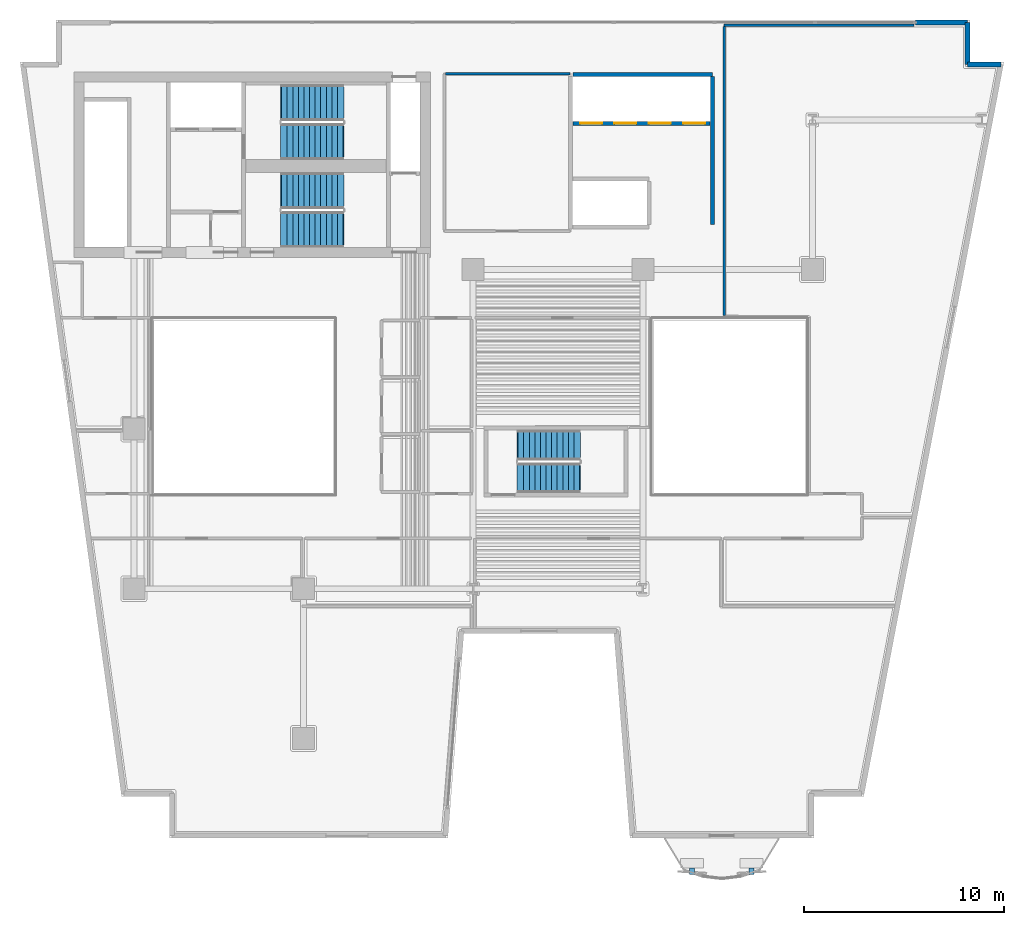
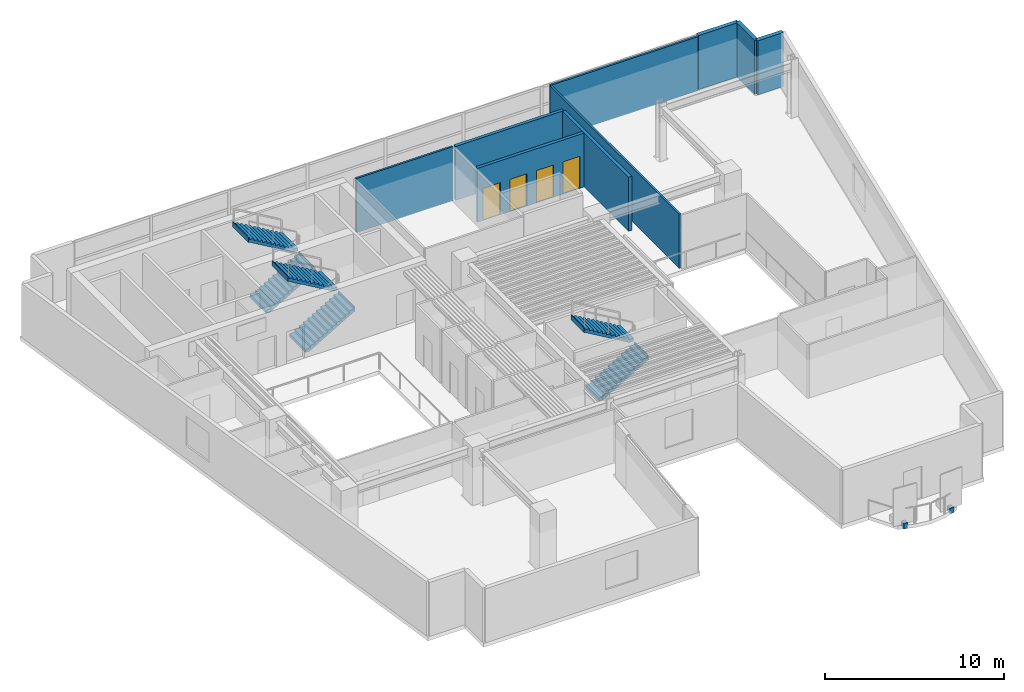
# One storey, part 8 of 12: 9 walls, 6 stair flights, 4 doors, 2 discrete accessories, 4 openings, 3 elements without a shape of their own.
"""IFC4 building model written with IfcOpenShell, lengths in metres."""

from ifc_helpers import new_model, si_unit, direction, frame, frame_2d, origin, origin_2d, place, context, subcontext, project, spatial, polyline, rectangle, outline, extrude, material, layer, layer_set, type_object, element, fill, aggregate, save


model = new_model("IFC4")

# Units and contexts
model_context = context("Model", 3, precision=1e-05, world=origin(), true_north=direction((0.0, 1.0)))
body_context = subcontext(model_context, "Body", "Model", "MODEL_VIEW")
ifc_project = project(units=[si_unit("LENGTHUNIT", "METRE"), si_unit("AREAUNIT", "SQUARE_METRE"), si_unit("VOLUMEUNIT", "CUBIC_METRE"), si_unit("PLANEANGLEUNIT", "RADIAN"), si_unit("MASSUNIT", "GRAM", prefix="KILO")], contexts=[model_context])

# Site, building, storey
site_placement = place(None, origin())
site = spatial("IfcSite", under=ifc_project, at=site_placement, CompositionType="ELEMENT")
building_placement = place(site_placement, origin())
building = spatial("IfcBuilding", under=site, at=building_placement, Name="Caeloran Harvest Quay", CompositionType="ELEMENT")
storey_placement = place(building_placement, frame((0.0, 0.0, 119.300048828125)))
storey = spatial("IfcBuildingStorey", under=building, at=storey_placement, Name="L27", CompositionType="ELEMENT", Elevation=119.300048828125)

# Walls
ifc_material_1 = material(Name="Precast concrete C50/60", Category="concrete")
ifc_layer_1 = layer(ifc_material_1, 0.260009765625, Name="Precast concrete C50/60")
ifc_layer_set_1 = layer_set([ifc_layer_1], Name="Precast concrete C50/60")
wall_type_1 = type_object("IfcWallType", Name="ENV-WALL-EW-260", PredefinedType="STANDARD", material=ifc_layer_set_1)
wall_1_placement = place(storey_placement, frame((47.669921875, 43.3701171875, 0.0), z_axis=(0.0, 0.0, 1.0), x_axis=(1.0, 0.0, 0.0)))
element("IfcWall", 1, at=wall_1_placement, inside=storey, type_object=wall_type_1, Name="L27 Exterior Facade Corner Pier Wall 6B", PredefinedType="STANDARD", context=body_context, shape_type="SweptSolid", body=[
    extrude(rectangle(XDim=2.60009765625, YDim=0.260009765625, at=frame_2d((1.300048828125, 0.0))), origin(), (0.0, 0.0, 1.0), 3.68994140625),
])
wall_2_placement = place(storey_placement, frame((50.27001953125, 43.3701171875, 0.0), z_axis=(0.0, 0.0, 1.0), x_axis=(0.0, -1.0, 0.0)))
element("IfcWall", 2, at=wall_2_placement, inside=storey, type_object=wall_type_1, Name="L27 Exterior Precast Concrete Facade Wall 7", PredefinedType="STANDARD", context=body_context, shape_type="SweptSolid", body=[
    extrude(rectangle(XDim=2.10009765625, YDim=0.260009765625, at=frame_2d((1.050048828125, 0.0))), origin(), (0.0, 0.0, 1.0), 3.68994140625),
])
wall_3_placement = place(storey_placement, frame((50.27001953125, 41.27001953125, 0.0), z_axis=(0.0, 0.0, 1.0), x_axis=(1.0, 0.0, 0.0)))
element("IfcWall", 3, at=wall_3_placement, inside=storey, type_object=wall_type_1, Name="L27 Exterior Precast Concrete Facade Wall 8", PredefinedType="STANDARD", context=body_context, shape_type="SweptSolid", body=[
    extrude(rectangle(XDim=1.671875, YDim=0.260009765625, at=frame_2d((0.8359375, 0.0))), origin(), (0.0, 0.0, 1.0), 3.68994140625),
])
ifc_material_2 = material(Name="Twin-Stud Mineral-Wool Acoustic Gypsum Partition", Category="gypsum")
ifc_layer_2 = layer(ifc_material_2, 0.125, Name="Twin-Stud Mineral-Wool Acoustic Gypsum Partition")
ifc_layer_set_2 = layer_set([ifc_layer_2], Name="Twin-Stud Mineral-Wool Acoustic Gypsum Partition")
wall_type_2 = type_object("IfcWallType", Name="INT-WALL-PW-125", PredefinedType="PARTITIONING", material=ifc_layer_set_2)
wall_4_placement = place(storey_placement, frame((24.117431640625, 40.800048828125, 0.0), z_axis=(0.0, 0.0, 1.0), x_axis=(1.0, 0.0, 0.0)))
element("IfcWall", 4, at=wall_4_placement, inside=storey, type_object=wall_type_2, Name="L27 Bioinformatics and Crop Phenotyping Laboratory Partition Wall", PredefinedType="PARTITIONING", context=body_context, shape_type="SweptSolid", body=[
    extrude(rectangle(XDim=6.232666015625, YDim=0.125, at=frame_2d((3.1162109375, 0.0))), origin(), (0.0, 0.0, 1.0), 3.68994140625),
])
wall_5_placement = place(storey_placement, frame((38.080078125, 43.239990234375, 0.0), z_axis=(0.0, 0.0, 1.0), x_axis=(1.0, 0.0, 0.0)))
element("IfcWall", 5, at=wall_5_placement, inside=storey, type_object=wall_type_2, Name="Phenotyping Sensor Laboratory 10 Partition Wall", PredefinedType="PARTITIONING", context=body_context, shape_type="SweptSolid", body=[
    extrude(rectangle(XDim=9.515380859375, YDim=0.125, at=frame_2d((4.7578125, 0.0))), origin(), (0.0, 0.0, 1.0), 3.68994140625),
])
wall_6_placement = place(storey_placement, frame((38.080078125, 28.697509765625, 0.0), z_axis=(0.0, 0.0, 1.0), x_axis=(0.0, 1.0, 0.0)))
element("IfcWall", 6, at=wall_6_placement, inside=storey, type_object=wall_type_2, Name="Phenotyping Sensor Laboratory 10 Partition Wall", PredefinedType="PARTITIONING", context=body_context, shape_type="SweptSolid", body=[
    extrude(rectangle(XDim=14.47509765625, YDim=0.125, at=frame_2d((7.237548828125, 0.0))), origin(), (0.0, 0.0, 1.0), 3.68994140625),
])
ifc_material_3 = material(Name="Concrete C50/60", Category="concrete")
ifc_layer_3 = layer(ifc_material_3, 0.199951171875, Name="Concrete C50/60")
ifc_layer_set_3 = layer_set([ifc_layer_3], Name="Concrete C50/60")
wall_type_3 = type_object("IfcWallType", Name="INT-WALL-SW-200", PredefinedType="PARTITIONING", material=ifc_layer_set_3)
wall_7_placement = place(storey_placement, frame((30.5, 40.780029296875, 0.0), z_axis=(0.0, 0.0, 1.0), x_axis=(1.0, 0.0, 0.0)))
element("IfcWall", 7, at=wall_7_placement, inside=storey, type_object=wall_type_3, Name="L27 Bank 2 Lift Shaft North Wall", PredefinedType="PARTITIONING", context=body_context, shape_type="SweptSolid", body=[
    extrude(rectangle(XDim=6.97998046875, YDim=0.199951171875, at=frame_2d((3.489990234375, 0.0))), origin(), (0.0, 0.0, 1.0), 3.68994140625),
])
wall_8_placement = place(storey_placement, frame((37.47998046875, 33.239990234375, 0.0), z_axis=(0.0, 0.0, 1.0), x_axis=(0.0, 1.0, 0.0)))
element("IfcWall", 8, at=wall_8_placement, inside=storey, type_object=wall_type_3, Name="L27 Bank 2 Lift Shaft East Wall", PredefinedType="PARTITIONING", context=body_context, shape_type="SweptSolid", body=[
    extrude(rectangle(XDim=7.419921875, YDim=0.199951171875, at=frame_2d((3.7099609375, 0.0))), origin(), (0.0, 0.0, 1.0), 3.68994140625),
])

# Wall, openings, doors
wall_9_placement = place(storey_placement, frame((30.5, 38.320068359375, 0.0), z_axis=(0.0, 0.0, 1.0), x_axis=(1.0, 0.0, 0.0)))
wall_9 = element("IfcWall", 9, at=wall_9_placement, inside=storey, type_object=wall_type_3, Name="L27 Bank 2 Lift Landing Front Wall", PredefinedType="PARTITIONING", context=body_context, shape_type="SweptSolid", body=[
    extrude(rectangle(XDim=6.860107421875, YDim=0.199951171875, at=frame_2d((3.43017578125, 0.0))), origin(), (0.0, 0.0, 1.0), 3.68994140625),
])
opening_1_placement = place(wall_9_placement, frame((0.360107421875, 0.0, 0.0)))
opening_1 = element("IfcOpeningElement", 10, at=opening_1_placement, cuts=wall_9, Name="Opening LD-01", PredefinedType="OPENING", context=body_context, shape_type="SweptSolid", body=[
    extrude(rectangle(XDim=1.10009765625, YDim=2.199951171875, at=frame_2d((0.550048828125, 1.10009765625))), frame((0.0, 0.10986328125, 0.0), z_axis=(0.0, -1.0, 0.0), x_axis=(1.0, 0.0, 0.0)), (0.0, 0.0, 1.0), 0.219970703125),
])
opening_2_placement = place(wall_9_placement, frame((2.080078125, 0.0, 0.0)))
opening_2 = element("IfcOpeningElement", 11, at=opening_2_placement, cuts=wall_9, Name="Opening LD-01", PredefinedType="OPENING", context=body_context, shape_type="SweptSolid", body=[
    extrude(rectangle(XDim=1.10009765625, YDim=2.199951171875, at=frame_2d((0.550048828125, 1.10009765625))), frame((0.0, 0.10986328125, 0.0), z_axis=(0.0, -1.0, 0.0), x_axis=(1.0, 0.0, 0.0)), (0.0, 0.0, 1.0), 0.219970703125),
])
opening_3_placement = place(wall_9_placement, frame((3.800048828125, 0.0, 0.0)))
opening_3 = element("IfcOpeningElement", 12, at=opening_3_placement, cuts=wall_9, Name="Opening LD-01", PredefinedType="OPENING", context=body_context, shape_type="SweptSolid", body=[
    extrude(rectangle(XDim=1.10009765625, YDim=2.199951171875, at=frame_2d((0.550048828125, 1.10009765625))), frame((0.0, 0.10986328125, 0.0), z_axis=(0.0, -1.0, 0.0), x_axis=(1.0, 0.0, 0.0)), (0.0, 0.0, 1.0), 0.219970703125),
])
opening_4_placement = place(wall_9_placement, frame((5.52001953125, 0.0, 0.0)))
opening_4 = element("IfcOpeningElement", 13, at=opening_4_placement, cuts=wall_9, Name="Opening LD-01", PredefinedType="OPENING", context=body_context, shape_type="SweptSolid", body=[
    extrude(rectangle(XDim=1.10009765625, YDim=2.199951171875, at=frame_2d((0.550048828125, 1.10009765625))), frame((0.0, 0.10986328125, 0.0), z_axis=(0.0, -1.0, 0.0), x_axis=(1.0, 0.0, 0.0)), (0.0, 0.0, 1.0), 0.219970703125),
])
ifc_material_4 = material(Name="Stainless Steel Grade 316", Category="steel")
door_type = type_object("IfcDoorType", Name="INTDOOR-LD-01", OperationType="NOTDEFINED", PredefinedType="DOOR", material=ifc_material_4)
door_1_placement = place(opening_1_placement, origin())
door_1 = element("IfcDoor", 14, at=door_1_placement, inside=storey, type_object=door_type, Name="Lift P2-1 Sliding Landing Door (L27)", OperationType="DOUBLE_DOOR_SLIDING", OverallHeight=2.199951171875, OverallWidth=1.10009765625, PredefinedType="DOOR", context=body_context, shape_type="SweptSolid", body=[
    extrude(rectangle(XDim=1.10009765625, YDim=2.199951171875, at=frame_2d((0.550048828125, 1.10009765625))), frame((0.0, 0.02490234375, 0.0), z_axis=(0.0, -1.0, 0.0), x_axis=(1.0, 0.0, 0.0)), (0.0, 0.0, 1.0), 0.050048828125),
])
fill(opening_1, door_1)
door_2_placement = place(opening_2_placement, origin())
door_2 = element("IfcDoor", 15, at=door_2_placement, inside=storey, type_object=door_type, Name="Lift P2-2 Sliding Landing Door (L27)", OperationType="DOUBLE_DOOR_SLIDING", OverallHeight=2.199951171875, OverallWidth=1.10009765625, PredefinedType="DOOR", context=body_context, shape_type="SweptSolid", body=[
    extrude(rectangle(XDim=1.10009765625, YDim=2.199951171875, at=frame_2d((0.550048828125, 1.10009765625))), frame((0.0, 0.02490234375, 0.0), z_axis=(0.0, -1.0, 0.0), x_axis=(1.0, 0.0, 0.0)), (0.0, 0.0, 1.0), 0.050048828125),
])
fill(opening_2, door_2)
door_3_placement = place(opening_3_placement, origin())
door_3 = element("IfcDoor", 16, at=door_3_placement, inside=storey, type_object=door_type, Name="Lift P2-3 Sliding Landing Door (L27)", OperationType="DOUBLE_DOOR_SLIDING", OverallHeight=2.199951171875, OverallWidth=1.10009765625, PredefinedType="DOOR", context=body_context, shape_type="SweptSolid", body=[
    extrude(rectangle(XDim=1.10009765625, YDim=2.199951171875, at=frame_2d((0.550048828125, 1.10009765625))), frame((0.0, 0.02490234375, 0.0), z_axis=(0.0, -1.0, 0.0), x_axis=(1.0, 0.0, 0.0)), (0.0, 0.0, 1.0), 0.050048828125),
])
fill(opening_3, door_3)
door_4_placement = place(opening_4_placement, origin())
door_4 = element("IfcDoor", 17, at=door_4_placement, inside=storey, type_object=door_type, Name="Lift P2-4 Sliding Landing Door (L27)", OperationType="DOUBLE_DOOR_SLIDING", OverallHeight=2.199951171875, OverallWidth=1.10009765625, PredefinedType="DOOR", context=body_context, shape_type="SweptSolid", body=[
    extrude(rectangle(XDim=1.10009765625, YDim=2.199951171875, at=frame_2d((0.550048828125, 1.10009765625))), frame((0.0, 0.02490234375, 0.0), z_axis=(0.0, -1.0, 0.0), x_axis=(1.0, 0.0, 0.0)), (0.0, 0.0, 1.0), 0.050048828125),
])
fill(opening_4, door_4)

# Stair, stair flights
stair_type_1 = type_object("IfcStairType", Name="STAIR-STC-180", PredefinedType="HALF_TURN_STAIR", material=ifc_material_3)
stair_1_placement = place(storey_placement, origin())
stair_1 = element("IfcStair", 18, at=stair_1_placement, inside=storey, type_object=stair_type_1, Name="L27 Core Pressurized Exit Stair ST-C1", PredefinedType="HALF_TURN_STAIR")
stair_flight_type_1 = type_object("IfcStairFlightType", Name="FLIGHT-STC-180", PredefinedType="STRAIGHT", material=ifc_material_3)
stair_flight_1_placement = place(storey_placement, frame((15.89990234375, 37.39990234375, 0.0), z_axis=(0.0, 0.0, 1.0), x_axis=(1.0, 0.0, 0.0)))
stair_flight_1 = element("IfcStairFlight", 19, at=stair_flight_1_placement, type_object=stair_flight_type_1, Name="ST-C1 flight 1", NumberOfRisers=12, NumberOfTreads=11, PredefinedType="STRAIGHT", RiserHeight=0.164583333, TreadLength=0.28, context=body_context, shape_type="SweptSolid", body=[
    extrude(outline(polyline([(-0.054931640625, -0.044921875), (-0.054931640625, -0.031982421875), (-0.054931640625, -0.018798828125), (-0.054931640625, -0.005615234375), (-0.054931640625, 0.00732421875), (-0.054931640625, 0.0205078125), (-0.054931640625, 0.03369140625), (-0.054931640625, 0.046630859375), (-0.054931640625, 0.059814453125), (-0.054931640625, 0.072998046875), (-0.054931640625, 0.0859375), (-0.054931640625, 0.09912109375), (-0.054931640625, 0.1123046875), (-0.054931640625, 0.125244140625), (-0.054931640625, 0.138427734375), (-0.054931640625, 0.1513671875), (-0.054931640625, 0.16455078125), (0.280029296875, 0.16455078125), (0.280029296875, 0.3291015625), (0.56005859375, 0.3291015625), (0.56005859375, 0.49365234375), (0.840087890625, 0.49365234375), (0.840087890625, 0.658447265625), (1.1201171875, 0.658447265625), (1.1201171875, 0.822998046875), (1.39990234375, 0.822998046875), (1.39990234375, 0.987548828125), (1.679931640625, 0.987548828125), (1.679931640625, 1.152099609375), (1.9599609375, 1.152099609375), (1.9599609375, 1.316650390625), (2.239990234375, 1.316650390625), (2.239990234375, 1.481201171875), (2.52001953125, 1.481201171875), (2.52001953125, 1.645751953125), (2.800048828125, 1.645751953125), (2.800048828125, 1.810302734375), (3.080078125, 1.810302734375), (3.080078125, 1.97509765625), (3.135009765625, 1.97509765625), (3.135009765625, 1.953857421875), (3.135009765625, 1.9326171875), (3.135009765625, 1.91162109375), (3.135009765625, 1.890380859375), (3.135009765625, 1.869140625), (3.135009765625, 1.84814453125), (3.135009765625, 1.826904296875), (3.135009765625, 1.8056640625), (3.135009765625, 1.78466796875), (3.135009765625, 1.763427734375), (3.135009765625, 1.7421875), (3.135009765625, 1.72119140625), (3.135009765625, 1.699951171875), (3.135009765625, 1.678955078125), (3.135009765625, 1.65771484375), (3.135009765625, 1.636474609375), (3.080078125, 1.636474609375), (0.21923828125, -0.044921875), (-0.054931640625, -0.044921875)])), frame((0.0, 0.89990234375, 0.0), z_axis=(0.0, -1.0, 0.0), x_axis=(1.0, 0.0, 0.0)), (0.0, 0.0, 1.0), 1.800048828125),
])
stair_flight_2_placement = place(storey_placement, frame((18.97998046875, 39.35009765625, 1.974853515625), z_axis=(0.0, 0.0, 1.0), x_axis=(-1.0, 0.0, 0.0)))
stair_flight_2 = element("IfcStairFlight", 20, at=stair_flight_2_placement, type_object=stair_flight_type_1, Name="ST-C1 flight 2", NumberOfRisers=12, NumberOfTreads=11, PredefinedType="STRAIGHT", RiserHeight=0.164583333, TreadLength=0.28, context=body_context, shape_type="SweptSolid", body=[
    extrude(outline(polyline([(-0.054931640625, -0.044921875), (-0.054931640625, -0.031982421875), (-0.054931640625, -0.018798828125), (-0.054931640625, -0.005615234375), (-0.054931640625, 0.00732421875), (-0.054931640625, 0.0205078125), (-0.054931640625, 0.03369140625), (-0.054931640625, 0.046630859375), (-0.054931640625, 0.059814453125), (-0.054931640625, 0.072998046875), (-0.054931640625, 0.0859375), (-0.054931640625, 0.09912109375), (-0.054931640625, 0.1123046875), (-0.054931640625, 0.125244140625), (-0.054931640625, 0.138427734375), (-0.054931640625, 0.1513671875), (-0.054931640625, 0.16455078125), (0.280029296875, 0.16455078125), (0.280029296875, 0.3291015625), (0.56005859375, 0.3291015625), (0.56005859375, 0.49365234375), (0.840087890625, 0.49365234375), (0.840087890625, 0.658447265625), (1.1201171875, 0.658447265625), (1.1201171875, 0.822998046875), (1.39990234375, 0.822998046875), (1.39990234375, 0.987548828125), (1.679931640625, 0.987548828125), (1.679931640625, 1.152099609375), (1.9599609375, 1.152099609375), (1.9599609375, 1.316650390625), (2.239990234375, 1.316650390625), (2.239990234375, 1.481201171875), (2.52001953125, 1.481201171875), (2.52001953125, 1.645751953125), (2.800048828125, 1.645751953125), (2.800048828125, 1.810302734375), (3.080078125, 1.810302734375), (3.080078125, 1.97509765625), (3.135009765625, 1.97509765625), (3.135009765625, 1.953857421875), (3.135009765625, 1.9326171875), (3.135009765625, 1.91162109375), (3.135009765625, 1.890380859375), (3.135009765625, 1.869140625), (3.135009765625, 1.84814453125), (3.135009765625, 1.826904296875), (3.135009765625, 1.8056640625), (3.135009765625, 1.78466796875), (3.135009765625, 1.763427734375), (3.135009765625, 1.7421875), (3.135009765625, 1.72119140625), (3.135009765625, 1.699951171875), (3.135009765625, 1.678955078125), (3.135009765625, 1.65771484375), (3.135009765625, 1.636474609375), (3.080078125, 1.636474609375), (0.21923828125, -0.044921875), (-0.054931640625, -0.044921875)])), frame((0.0, 0.89990234375, 0.0), z_axis=(0.0, -1.0, 0.0), x_axis=(1.0, 0.0, 0.0)), (0.0, 0.0, 1.0), 1.800048828125),
])
aggregate(stair_1, [stair_flight_1, stair_flight_2])

stair_2_placement = place(storey_placement, origin())
stair_2 = element("IfcStair", 21, at=stair_2_placement, inside=storey, type_object=stair_type_1, Name="L27 Core Pressurized Exit Stair ST-C2", PredefinedType="HALF_TURN_STAIR")
stair_flight_3_placement = place(storey_placement, frame((15.89990234375, 33.0, 0.0), z_axis=(0.0, 0.0, 1.0), x_axis=(1.0, 0.0, 0.0)))
stair_flight_3 = element("IfcStairFlight", 22, at=stair_flight_3_placement, type_object=stair_flight_type_1, Name="ST-C2 flight 1", NumberOfRisers=12, NumberOfTreads=11, PredefinedType="STRAIGHT", RiserHeight=0.164583333, TreadLength=0.28, context=body_context, shape_type="SweptSolid", body=[
    extrude(outline(polyline([(-0.054931640625, -0.044921875), (-0.054931640625, -0.031982421875), (-0.054931640625, -0.018798828125), (-0.054931640625, -0.005615234375), (-0.054931640625, 0.00732421875), (-0.054931640625, 0.0205078125), (-0.054931640625, 0.03369140625), (-0.054931640625, 0.046630859375), (-0.054931640625, 0.059814453125), (-0.054931640625, 0.072998046875), (-0.054931640625, 0.0859375), (-0.054931640625, 0.09912109375), (-0.054931640625, 0.1123046875), (-0.054931640625, 0.125244140625), (-0.054931640625, 0.138427734375), (-0.054931640625, 0.1513671875), (-0.054931640625, 0.16455078125), (0.280029296875, 0.16455078125), (0.280029296875, 0.3291015625), (0.56005859375, 0.3291015625), (0.56005859375, 0.49365234375), (0.840087890625, 0.49365234375), (0.840087890625, 0.658447265625), (1.1201171875, 0.658447265625), (1.1201171875, 0.822998046875), (1.39990234375, 0.822998046875), (1.39990234375, 0.987548828125), (1.679931640625, 0.987548828125), (1.679931640625, 1.152099609375), (1.9599609375, 1.152099609375), (1.9599609375, 1.316650390625), (2.239990234375, 1.316650390625), (2.239990234375, 1.481201171875), (2.52001953125, 1.481201171875), (2.52001953125, 1.645751953125), (2.800048828125, 1.645751953125), (2.800048828125, 1.810302734375), (3.080078125, 1.810302734375), (3.080078125, 1.97509765625), (3.135009765625, 1.97509765625), (3.135009765625, 1.953857421875), (3.135009765625, 1.9326171875), (3.135009765625, 1.91162109375), (3.135009765625, 1.890380859375), (3.135009765625, 1.869140625), (3.135009765625, 1.84814453125), (3.135009765625, 1.826904296875), (3.135009765625, 1.8056640625), (3.135009765625, 1.78466796875), (3.135009765625, 1.763427734375), (3.135009765625, 1.7421875), (3.135009765625, 1.72119140625), (3.135009765625, 1.699951171875), (3.135009765625, 1.678955078125), (3.135009765625, 1.65771484375), (3.135009765625, 1.636474609375), (3.080078125, 1.636474609375), (0.21923828125, -0.044921875), (-0.054931640625, -0.044921875)])), frame((0.0, 0.89990234375, 0.0), z_axis=(0.0, -1.0, 0.0), x_axis=(1.0, 0.0, 0.0)), (0.0, 0.0, 1.0), 1.800048828125),
])
stair_flight_4_placement = place(storey_placement, frame((18.97998046875, 34.949951171875, 1.974853515625), z_axis=(0.0, 0.0, 1.0), x_axis=(-1.0, 0.0, 0.0)))
stair_flight_4 = element("IfcStairFlight", 23, at=stair_flight_4_placement, type_object=stair_flight_type_1, Name="ST-C2 flight 2", NumberOfRisers=12, NumberOfTreads=11, PredefinedType="STRAIGHT", RiserHeight=0.164583333, TreadLength=0.28, context=body_context, shape_type="SweptSolid", body=[
    extrude(outline(polyline([(-0.054931640625, -0.044921875), (-0.054931640625, -0.031982421875), (-0.054931640625, -0.018798828125), (-0.054931640625, -0.005615234375), (-0.054931640625, 0.00732421875), (-0.054931640625, 0.0205078125), (-0.054931640625, 0.03369140625), (-0.054931640625, 0.046630859375), (-0.054931640625, 0.059814453125), (-0.054931640625, 0.072998046875), (-0.054931640625, 0.0859375), (-0.054931640625, 0.09912109375), (-0.054931640625, 0.1123046875), (-0.054931640625, 0.125244140625), (-0.054931640625, 0.138427734375), (-0.054931640625, 0.1513671875), (-0.054931640625, 0.16455078125), (0.280029296875, 0.16455078125), (0.280029296875, 0.3291015625), (0.56005859375, 0.3291015625), (0.56005859375, 0.49365234375), (0.840087890625, 0.49365234375), (0.840087890625, 0.658447265625), (1.1201171875, 0.658447265625), (1.1201171875, 0.822998046875), (1.39990234375, 0.822998046875), (1.39990234375, 0.987548828125), (1.679931640625, 0.987548828125), (1.679931640625, 1.152099609375), (1.9599609375, 1.152099609375), (1.9599609375, 1.316650390625), (2.239990234375, 1.316650390625), (2.239990234375, 1.481201171875), (2.52001953125, 1.481201171875), (2.52001953125, 1.645751953125), (2.800048828125, 1.645751953125), (2.800048828125, 1.810302734375), (3.080078125, 1.810302734375), (3.080078125, 1.97509765625), (3.135009765625, 1.97509765625), (3.135009765625, 1.953857421875), (3.135009765625, 1.9326171875), (3.135009765625, 1.91162109375), (3.135009765625, 1.890380859375), (3.135009765625, 1.869140625), (3.135009765625, 1.84814453125), (3.135009765625, 1.826904296875), (3.135009765625, 1.8056640625), (3.135009765625, 1.78466796875), (3.135009765625, 1.763427734375), (3.135009765625, 1.7421875), (3.135009765625, 1.72119140625), (3.135009765625, 1.699951171875), (3.135009765625, 1.678955078125), (3.135009765625, 1.65771484375), (3.135009765625, 1.636474609375), (3.080078125, 1.636474609375), (0.21923828125, -0.044921875), (-0.054931640625, -0.044921875)])), frame((0.0, 0.89990234375, 0.0), z_axis=(0.0, -1.0, 0.0), x_axis=(1.0, 0.0, 0.0)), (0.0, 0.0, 1.0), 1.800048828125),
])
aggregate(stair_2, [stair_flight_3, stair_flight_4])

stair_type_2 = type_object("IfcStairType", Name="STAIR-STW-150", PredefinedType="HALF_TURN_STAIR", material=ifc_material_3)
stair_3_placement = place(storey_placement, origin())
stair_3 = element("IfcStair", 24, at=stair_3_placement, inside=storey, type_object=stair_type_2, Name="L27 East Wing Protected Exit Stair ST-W1", PredefinedType="HALF_TURN_STAIR")
stair_flight_type_2 = type_object("IfcStairFlightType", Name="FLIGHT-STW-150", PredefinedType="STRAIGHT", material=ifc_material_3)
stair_flight_5_placement = place(storey_placement, frame((27.75, 20.550048828125, 0.0), z_axis=(0.0, 0.0, 1.0), x_axis=(1.0, 0.0, 0.0)))
stair_flight_5 = element("IfcStairFlight", 25, at=stair_flight_5_placement, type_object=stair_flight_type_2, Name="ST-W1 flight 1", NumberOfRisers=12, NumberOfTreads=11, PredefinedType="STRAIGHT", RiserHeight=0.164583333, TreadLength=0.28, context=body_context, shape_type="SweptSolid", body=[
    extrude(outline(polyline([(-0.054931640625, -0.044921875), (-0.054931640625, -0.031982421875), (-0.054931640625, -0.018798828125), (-0.054931640625, -0.005615234375), (-0.054931640625, 0.00732421875), (-0.054931640625, 0.0205078125), (-0.054931640625, 0.03369140625), (-0.054931640625, 0.046630859375), (-0.054931640625, 0.059814453125), (-0.054931640625, 0.072998046875), (-0.054931640625, 0.0859375), (-0.054931640625, 0.09912109375), (-0.054931640625, 0.1123046875), (-0.054931640625, 0.125244140625), (-0.054931640625, 0.138427734375), (-0.054931640625, 0.1513671875), (-0.054931640625, 0.16455078125), (0.280029296875, 0.16455078125), (0.280029296875, 0.3291015625), (0.56005859375, 0.3291015625), (0.56005859375, 0.49365234375), (0.840087890625, 0.49365234375), (0.840087890625, 0.658447265625), (1.1201171875, 0.658447265625), (1.1201171875, 0.822998046875), (1.39990234375, 0.822998046875), (1.39990234375, 0.987548828125), (1.679931640625, 0.987548828125), (1.679931640625, 1.152099609375), (1.9599609375, 1.152099609375), (1.9599609375, 1.316650390625), (2.239990234375, 1.316650390625), (2.239990234375, 1.481201171875), (2.52001953125, 1.481201171875), (2.52001953125, 1.645751953125), (2.800048828125, 1.645751953125), (2.800048828125, 1.810302734375), (3.080078125, 1.810302734375), (3.080078125, 1.97509765625), (3.135009765625, 1.97509765625), (3.135009765625, 1.953857421875), (3.135009765625, 1.9326171875), (3.135009765625, 1.91162109375), (3.135009765625, 1.890380859375), (3.135009765625, 1.869140625), (3.135009765625, 1.84814453125), (3.135009765625, 1.826904296875), (3.135009765625, 1.8056640625), (3.135009765625, 1.78466796875), (3.135009765625, 1.763427734375), (3.135009765625, 1.7421875), (3.135009765625, 1.72119140625), (3.135009765625, 1.699951171875), (3.135009765625, 1.678955078125), (3.135009765625, 1.65771484375), (3.135009765625, 1.636474609375), (3.080078125, 1.636474609375), (0.21923828125, -0.044921875), (-0.054931640625, -0.044921875)])), frame((0.0, 0.75, 0.0), z_axis=(0.0, -1.0, 0.0), x_axis=(1.0, 0.0, 0.0)), (0.0, 0.0, 1.0), 1.5),
])
stair_flight_6_placement = place(storey_placement, frame((30.830078125, 22.199951171875, 1.974853515625), z_axis=(0.0, 0.0, 1.0), x_axis=(-1.0, 0.0, 0.0)))
stair_flight_6 = element("IfcStairFlight", 26, at=stair_flight_6_placement, type_object=stair_flight_type_2, Name="ST-W1 flight 2", NumberOfRisers=12, NumberOfTreads=11, PredefinedType="STRAIGHT", RiserHeight=0.164583333, TreadLength=0.28, context=body_context, shape_type="SweptSolid", body=[
    extrude(outline(polyline([(-0.054931640625, -0.044921875), (-0.054931640625, -0.031982421875), (-0.054931640625, -0.018798828125), (-0.054931640625, -0.005615234375), (-0.054931640625, 0.00732421875), (-0.054931640625, 0.0205078125), (-0.054931640625, 0.03369140625), (-0.054931640625, 0.046630859375), (-0.054931640625, 0.059814453125), (-0.054931640625, 0.072998046875), (-0.054931640625, 0.0859375), (-0.054931640625, 0.09912109375), (-0.054931640625, 0.1123046875), (-0.054931640625, 0.125244140625), (-0.054931640625, 0.138427734375), (-0.054931640625, 0.1513671875), (-0.054931640625, 0.16455078125), (0.280029296875, 0.16455078125), (0.280029296875, 0.3291015625), (0.56005859375, 0.3291015625), (0.56005859375, 0.49365234375), (0.840087890625, 0.49365234375), (0.840087890625, 0.658447265625), (1.1201171875, 0.658447265625), (1.1201171875, 0.822998046875), (1.39990234375, 0.822998046875), (1.39990234375, 0.987548828125), (1.679931640625, 0.987548828125), (1.679931640625, 1.152099609375), (1.9599609375, 1.152099609375), (1.9599609375, 1.316650390625), (2.239990234375, 1.316650390625), (2.239990234375, 1.481201171875), (2.52001953125, 1.481201171875), (2.52001953125, 1.645751953125), (2.800048828125, 1.645751953125), (2.800048828125, 1.810302734375), (3.080078125, 1.810302734375), (3.080078125, 1.97509765625), (3.135009765625, 1.97509765625), (3.135009765625, 1.953857421875), (3.135009765625, 1.9326171875), (3.135009765625, 1.91162109375), (3.135009765625, 1.890380859375), (3.135009765625, 1.869140625), (3.135009765625, 1.84814453125), (3.135009765625, 1.826904296875), (3.135009765625, 1.8056640625), (3.135009765625, 1.78466796875), (3.135009765625, 1.763427734375), (3.135009765625, 1.7421875), (3.135009765625, 1.72119140625), (3.135009765625, 1.699951171875), (3.135009765625, 1.678955078125), (3.135009765625, 1.65771484375), (3.135009765625, 1.636474609375), (3.080078125, 1.636474609375), (0.21923828125, -0.044921875), (-0.054931640625, -0.044921875)])), frame((0.0, 0.75, 0.0), z_axis=(0.0, -1.0, 0.0), x_axis=(1.0, 0.0, 0.0)), (0.0, 0.0, 1.0), 1.5),
])
aggregate(stair_3, [stair_flight_5, stair_flight_6])

# Discrete accessories
ifc_material_5 = material(Name="Stainless Steel Grade 316L", Category="steel")
discrete_accessory_type = type_object("IfcDiscreteAccessoryType", Name="BRACKET-SCREEN-SS", PredefinedType="BRACKET", material=ifc_material_5)
for number, where, z_axis, x_axis, name in (
    (27, (39.44921875, 0.84521484375, -0.22021484375), (0.0, 0.0, 1.0), (1.0, 0.0, 0.0), "L27 Balcony Screen Support Bracket 1"),
    (28, (36.4658203125, 0.84521484375, -0.22021484375), (0.0, 0.0, 1.0), (1.0, 0.0, 0.0), "L27 Balcony Screen Support Bracket 2"),
):
    element("IfcDiscreteAccessory", number, at=place(storey_placement, frame(where, z_axis=z_axis, x_axis=x_axis)), inside=storey, type_object=discrete_accessory_type, Name=name, PredefinedType="BRACKET", context=body_context, shape_type="SweptSolid", body=[
        extrude(rectangle(XDim=0.260009765625, YDim=0.340087890625, at=origin_2d()), origin(), (0.0, 0.0, 1.0), 0.360107421875),
    ])

save(model, "model.ifc")
